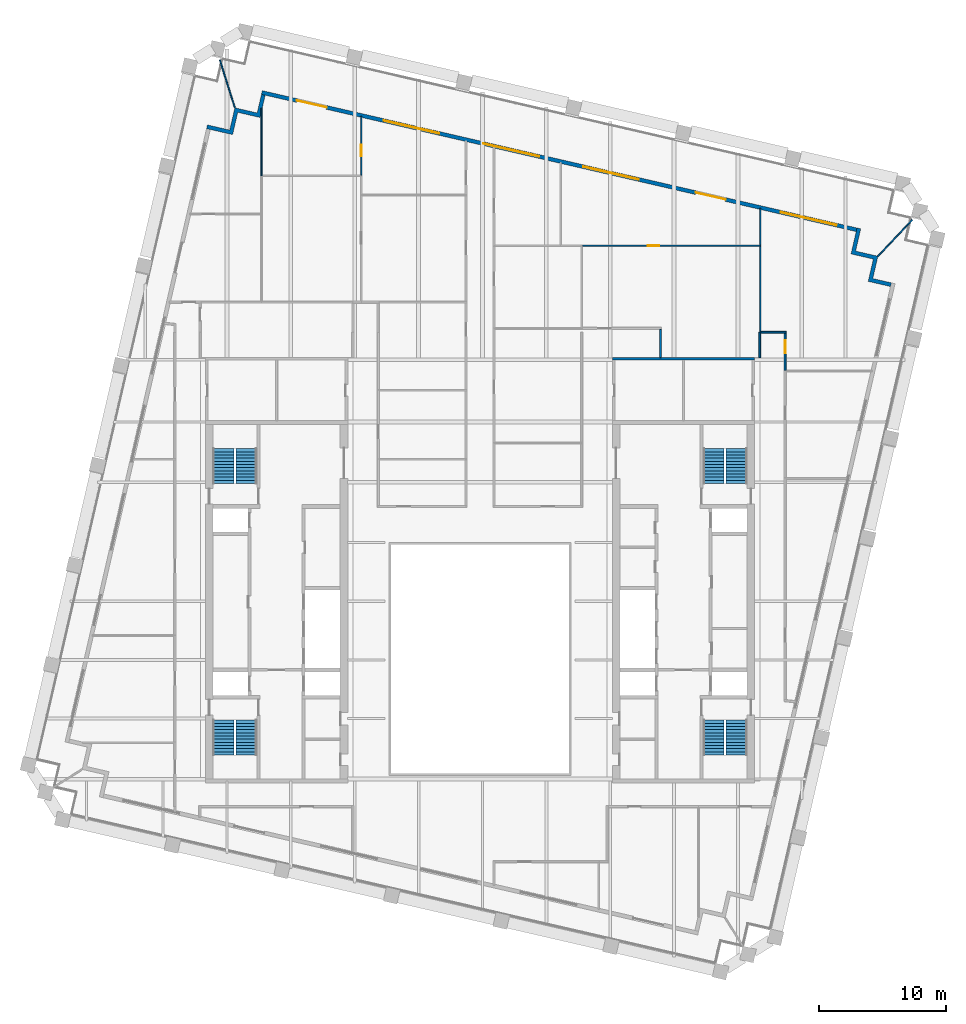
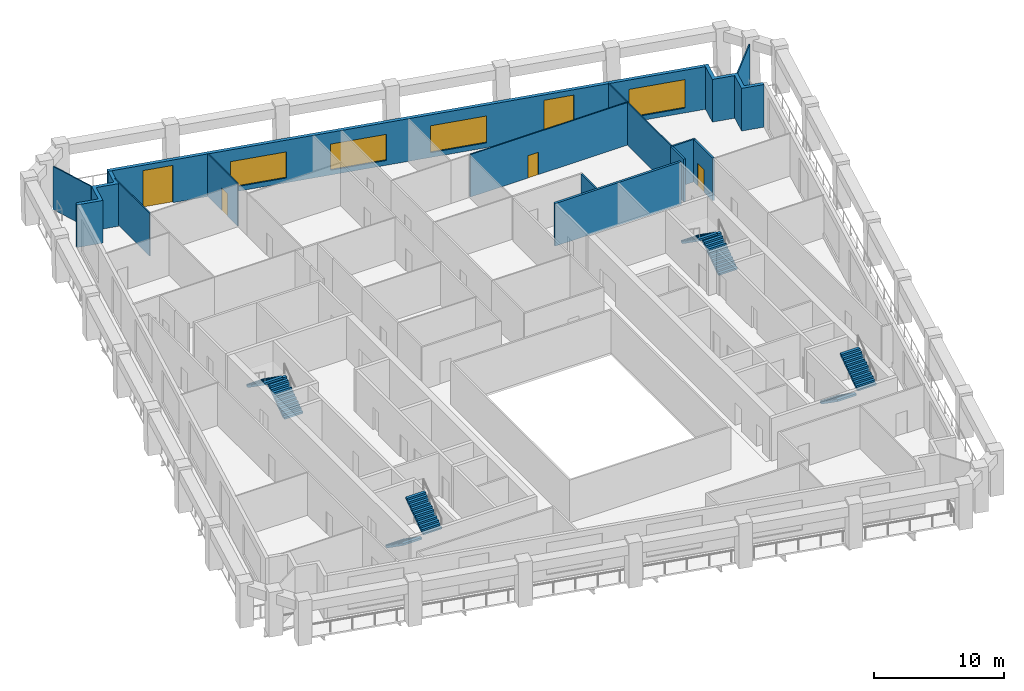
# One storey, part 9 of 10: 15 walls, 8 stair flights, 5 doors, 4 windows, 9 openings, 4 elements without a shape of their own.
"""IFC4 building model written with IfcOpenShell, lengths in metres."""

from ifc_helpers import new_model, si_unit, direction, frame, frame_2d, origin, place, context, subcontext, project, spatial, polyline, rectangle, outline, extrude, material, layer, layer_set, type_object, element, fill, aggregate, save


model = new_model("IFC4")

# Units and contexts
model_context = context("Model", 3, precision=1e-05, world=origin(), true_north=direction((0.0, 1.0)))
body_context = subcontext(model_context, "Body", "Model", "MODEL_VIEW")
ifc_project = project(units=[si_unit("LENGTHUNIT", "METRE"), si_unit("AREAUNIT", "SQUARE_METRE"), si_unit("VOLUMEUNIT", "CUBIC_METRE"), si_unit("PLANEANGLEUNIT", "RADIAN"), si_unit("MASSUNIT", "GRAM", prefix="KILO")], contexts=[model_context])

# Site, building, storey
site_placement = place(None, origin())
site = spatial("IfcSite", under=ifc_project, at=site_placement, CompositionType="ELEMENT")
building_placement = place(site_placement, origin())
building = spatial("IfcBuilding", under=site, at=building_placement, Name="Ogive Exchange Tower", CompositionType="ELEMENT")
storey_placement = place(building_placement, frame((0.0, 0.0, 255.60009765625)))
storey = spatial("IfcBuildingStorey", under=building, at=storey_placement, Name="L55", CompositionType="ELEMENT", Elevation=255.60009765625)

# Walls
ifc_material_1 = material(Name="Fire partition EI 60 150")
ifc_layer_1 = layer(ifc_material_1, 0.14990234375)
ifc_layer_set_1 = layer_set([ifc_layer_1], Name="Fire partition EI 60 150")
wall_type_1 = type_object("IfcWallType", Name="Fire partition EI 60 150", PredefinedType="PARTITIONING", material=ifc_layer_set_1)
wall_1_placement = place(storey_placement, frame((14.18994140625, 32.925048828125, 0.0), z_axis=(0.0, 0.0, 1.0), x_axis=(0.0, -1.0, 0.0)))
element("IfcWall", 1, at=wall_1_placement, inside=storey, type_object=wall_type_1, Name="L55-PWL-064", PredefinedType="PARTITIONING", context=body_context, shape_type="SweptSolid", body=[
    extrude(rectangle(XDim=2.22509765625, YDim=0.14990234375, at=frame_2d((1.112548828125, 0.0))), origin(), (0.0, 0.0, 1.0), 4.0),
])
wall_2_placement = place(storey_placement, frame((22.0, 30.699951171875, 0.0), z_axis=(0.0, 0.0, 1.0), x_axis=(0.0, 1.0, 0.0)))
element("IfcWall", 2, at=wall_2_placement, inside=storey, type_object=wall_type_1, Name="L55-PWL-067", PredefinedType="PARTITIONING", context=body_context, shape_type="SweptSolid", body=[
    extrude(rectangle(XDim=2.0, YDim=0.14990234375, at=frame_2d((1.0, 0.0))), origin(), (0.0, 0.0, 1.0), 4.0),
])
wall_3_placement = place(storey_placement, frame((21.97998046875, 32.699951171875, 0.0), z_axis=(0.0, 0.0, 1.0), x_axis=(1.0, 0.0, 0.0)))
element("IfcWall", 3, at=wall_3_placement, inside=storey, type_object=wall_type_1, Name="L55-PWL-068", PredefinedType="PARTITIONING", context=body_context, shape_type="SweptSolid", body=[
    extrude(rectangle(XDim=2.094970703125, YDim=0.14990234375, at=frame_2d((1.04736328125, 0.0))), origin(), (0.0, 0.0, 1.0), 4.0),
])

# Wall, opening, door
wall_4_placement = place(storey_placement, frame((24.0, 32.625, 0.0), z_axis=(0.0, 0.0, 1.0), x_axis=(0.0, -1.0, 0.0)))
wall_4 = element("IfcWall", 4, at=wall_4_placement, inside=storey, type_object=wall_type_1, Name="L55-PWL-078", PredefinedType="PARTITIONING", context=body_context, shape_type="SweptSolid", body=[
    extrude(rectangle(XDim=2.9150390625, YDim=0.14990234375, at=frame_2d((1.45751953125, 0.0))), origin(), (0.0, 0.0, 1.0), 4.0),
])
opening_1_placement = place(wall_4_placement, frame((0.56494140625, 0.0, 0.0)))
opening_1 = element("IfcOpeningElement", 5, at=opening_1_placement, cuts=wall_4, Name="Opening L55-I24", PredefinedType="OPENING", context=body_context, shape_type="SweptSolid", body=[
    extrude(rectangle(XDim=1.0, YDim=2.10009765625, at=frame_2d((0.5, 1.050048828125))), frame((0.0, 0.0849609375, 0.0), z_axis=(0.0, -1.0, 0.0), x_axis=(1.0, 0.0, 0.0)), (0.0, 0.0, 1.0), 0.169921875),
])
ifc_material_2 = material(Name="Fire door FD 30S 1000 x 2100")
door_type_1 = type_object("IfcDoorType", Name="Fire door FD 30S 1000 x 2100", OperationType="NOTDEFINED", PredefinedType="DOOR", material=ifc_material_2)
door_1_placement = place(opening_1_placement, origin())
door_1 = element("IfcDoor", 6, at=door_1_placement, inside=storey, type_object=door_type_1, Name="L55-IDR-024", ObjectType="DT3", OperationType="SINGLE_SWING_LEFT", OverallHeight=2.10009765625, OverallWidth=1.0, PredefinedType="DOOR", context=body_context, shape_type="SweptSolid", body=[
    extrude(rectangle(XDim=1.0, YDim=2.10009765625, at=frame_2d((0.5, 1.050048828125))), frame((0.0, 0.02490234375, 0.0), z_axis=(0.0, -1.0, 0.0), x_axis=(1.0, 0.0, 0.0)), (0.0, 0.0, 1.0), 0.050048828125),
])
fill(opening_1, door_1)

# Wall, openings, doors, windows
ifc_material_3 = material(Name="Precast concrete C40/50", Category="concrete")
ifc_layer_2 = layer(ifc_material_3, 0.300048828125)
ifc_layer_set_2 = layer_set([ifc_layer_2], Name="Limestone-faced wall 300")
wall_type_2 = type_object("IfcWallType", Name="Limestone-faced wall 300", PredefinedType="STANDARD", material=ifc_layer_set_2)
wall_5_placement = place(storey_placement, frame((29.6162109375, 40.75830078125, 0.0), z_axis=(0.0, 0.0, 1.0), x_axis=(-0.974370532314, 0.224949029246, 0.0)))
wall_5 = element("IfcWall", 7, at=wall_5_placement, inside=storey, type_object=wall_type_2, Name="External wall N3", PredefinedType="STANDARD", context=body_context, shape_type="SweptSolid", body=[
    extrude(rectangle(XDim=48.000244140625, YDim=0.300048828125, at=frame_2d((24.0, 0.0))), origin(), (0.0, 0.0, 1.0), 4.0),
])
opening_2_placement = place(wall_5_placement, frame((1.625, 0.0, 0.449951171875)))
opening_2 = element("IfcOpeningElement", 8, at=opening_2_placement, cuts=wall_5, Name="Opening W1J", PredefinedType="OPENING", context=body_context, shape_type="SweptSolid", body=[
    extrude(rectangle(XDim=4.5, YDim=2.675048828125, at=frame_2d((2.25, 1.33740234375))), frame((0.0, 0.159912109375, 0.0), z_axis=(0.0, -1.0, 0.0), x_axis=(1.0, 0.0, 0.0)), (0.0, 0.0, 1.0), 0.320068359375),
])
opening_3_placement = place(wall_5_placement, frame((10.574951171875, 0.0, 0.0)))
opening_3 = element("IfcOpeningElement", 9, at=opening_3_placement, cuts=wall_5, Name="Opening D1", PredefinedType="OPENING", context=body_context, shape_type="SweptSolid", body=[
    extrude(rectangle(XDim=2.39990234375, YDim=3.5, at=frame_2d((1.199951171875, 1.75))), frame((0.0, 0.159912109375, 0.0), z_axis=(0.0, -1.0, 0.0), x_axis=(1.0, 0.0, 0.0)), (0.0, 0.0, 1.0), 0.320068359375),
])
opening_4_placement = place(wall_5_placement, frame((17.574951171875, 0.0, 0.449951171875)))
opening_4 = element("IfcOpeningElement", 10, at=opening_4_placement, cuts=wall_5, Name="Opening W1N", PredefinedType="OPENING", context=body_context, shape_type="SweptSolid", body=[
    extrude(rectangle(XDim=4.5, YDim=2.52490234375, at=frame_2d((2.25, 1.262451171875))), frame((0.0, 0.159912109375, 0.0), z_axis=(0.0, -1.0, 0.0), x_axis=(1.0, 0.0, 0.0)), (0.0, 0.0, 1.0), 0.320068359375),
])
opening_5_placement = place(wall_5_placement, frame((25.625, 0.0, 0.449951171875)))
opening_5 = element("IfcOpeningElement", 11, at=opening_5_placement, cuts=wall_5, Name="Opening W1Q", PredefinedType="OPENING", context=body_context, shape_type="SweptSolid", body=[
    extrude(rectangle(XDim=4.5, YDim=2.449951171875, at=frame_2d((2.25, 1.22509765625))), frame((0.0, 0.159912109375, 0.0), z_axis=(0.0, -1.0, 0.0), x_axis=(1.0, 0.0, 0.0)), (0.0, 0.0, 1.0), 0.320068359375),
])
opening_6_placement = place(wall_5_placement, frame((33.675048828125, 0.0, 0.449951171875)))
opening_6 = element("IfcOpeningElement", 12, at=opening_6_placement, cuts=wall_5, Name="Opening W1Q", PredefinedType="OPENING", context=body_context, shape_type="SweptSolid", body=[
    extrude(rectangle(XDim=4.5, YDim=2.449951171875, at=frame_2d((2.25, 1.22509765625))), frame((0.0, 0.159912109375, 0.0), z_axis=(0.0, -1.0, 0.0), x_axis=(1.0, 0.0, 0.0)), (0.0, 0.0, 1.0), 0.320068359375),
])
opening_7_placement = place(wall_5_placement, frame((42.77490234375, 0.0, 0.0)))
opening_7 = element("IfcOpeningElement", 13, at=opening_7_placement, cuts=wall_5, Name="Opening D1", PredefinedType="OPENING", context=body_context, shape_type="SweptSolid", body=[
    extrude(rectangle(XDim=2.39990234375, YDim=3.5, at=frame_2d((1.199951171875, 1.75))), frame((0.0, 0.159912109375, 0.0), z_axis=(0.0, -1.0, 0.0), x_axis=(1.0, 0.0, 0.0)), (0.0, 0.0, 1.0), 0.320068359375),
])
ifc_material_4 = material(Name="Clear glass in bronze frame", Category="glass")
door_type_2 = type_object("IfcDoorType", Name="Sliding loggia door 2400 x 3500", OperationType="DOUBLE_DOOR_SLIDING", PredefinedType="DOOR", material=ifc_material_4)
door_2_placement = place(opening_3_placement, origin())
door_2 = element("IfcDoor", 14, at=door_2_placement, inside=storey, type_object=door_type_2, Name="Loggia door N01", OperationType="DOUBLE_DOOR_SLIDING", OverallHeight=3.5, OverallWidth=2.39990234375, PredefinedType="DOOR", context=body_context, shape_type="SweptSolid", body=[
    extrude(rectangle(XDim=2.39990234375, YDim=3.5, at=frame_2d((1.199951171875, 1.75))), frame((0.0, 0.02490234375, 0.0), z_axis=(0.0, -1.0, 0.0), x_axis=(1.0, 0.0, 0.0)), (0.0, 0.0, 1.0), 0.050048828125),
])
fill(opening_3, door_2)
door_3_placement = place(opening_7_placement, origin())
door_3 = element("IfcDoor", 15, at=door_3_placement, inside=storey, type_object=door_type_2, Name="Loggia door N05", OperationType="DOUBLE_DOOR_SLIDING", OverallHeight=3.5, OverallWidth=2.39990234375, PredefinedType="DOOR", context=body_context, shape_type="SweptSolid", body=[
    extrude(rectangle(XDim=2.39990234375, YDim=3.5, at=frame_2d((1.199951171875, 1.75))), frame((0.0, 0.02490234375, 0.0), z_axis=(0.0, -1.0, 0.0), x_axis=(1.0, 0.0, 0.0)), (0.0, 0.0, 1.0), 0.050048828125),
])
fill(opening_7, door_3)
window_type_1 = type_object("IfcWindowType", Name="Twin lancet window 4500 x 2450", PartitioningType="DOUBLE_PANEL_VERTICAL", PredefinedType="WINDOW", material=ifc_material_4)
window_1_placement = place(opening_5_placement, origin())
window_1 = element("IfcWindow", 16, at=window_1_placement, inside=storey, type_object=window_type_1, Name="Window N03", OverallHeight=2.449951171875, OverallWidth=4.5, PartitioningType="DOUBLE_PANEL_VERTICAL", PredefinedType="WINDOW", context=body_context, shape_type="SweptSolid", body=[
    extrude(rectangle(XDim=4.5, YDim=2.449951171875, at=frame_2d((2.25, 1.22509765625))), frame((0.0, 0.030029296875, 0.0), z_axis=(0.0, -1.0, 0.0), x_axis=(1.0, 0.0, 0.0)), (0.0, 0.0, 1.0), 0.06005859375),
])
fill(opening_5, window_1)
window_2_placement = place(opening_6_placement, origin())
window_2 = element("IfcWindow", 17, at=window_2_placement, inside=storey, type_object=window_type_1, Name="Window N04", OverallHeight=2.449951171875, OverallWidth=4.5, PartitioningType="DOUBLE_PANEL_VERTICAL", PredefinedType="WINDOW", context=body_context, shape_type="SweptSolid", body=[
    extrude(rectangle(XDim=4.5, YDim=2.449951171875, at=frame_2d((2.25, 1.22509765625))), frame((0.0, 0.030029296875, 0.0), z_axis=(0.0, -1.0, 0.0), x_axis=(1.0, 0.0, 0.0)), (0.0, 0.0, 1.0), 0.06005859375),
])
fill(opening_6, window_2)
window_type_2 = type_object("IfcWindowType", Name="Twin lancet window 4500 x 2525", PartitioningType="DOUBLE_PANEL_VERTICAL", PredefinedType="WINDOW", material=ifc_material_4)
window_3_placement = place(opening_4_placement, origin())
window_3 = element("IfcWindow", 18, at=window_3_placement, inside=storey, type_object=window_type_2, Name="Window N02", OverallHeight=2.52490234375, OverallWidth=4.5, PartitioningType="DOUBLE_PANEL_VERTICAL", PredefinedType="WINDOW", context=body_context, shape_type="SweptSolid", body=[
    extrude(rectangle(XDim=4.5, YDim=2.52490234375, at=frame_2d((2.25, 1.262451171875))), frame((0.0, 0.030029296875, 0.0), z_axis=(0.0, -1.0, 0.0), x_axis=(1.0, 0.0, 0.0)), (0.0, 0.0, 1.0), 0.06005859375),
])
fill(opening_4, window_3)
window_type_3 = type_object("IfcWindowType", Name="Twin lancet window 4500 x 2675", PartitioningType="DOUBLE_PANEL_VERTICAL", PredefinedType="WINDOW", material=ifc_material_4)
window_4_placement = place(opening_2_placement, origin())
window_4 = element("IfcWindow", 19, at=window_4_placement, inside=storey, type_object=window_type_3, Name="Window N00", OverallHeight=2.675048828125, OverallWidth=4.5, PartitioningType="DOUBLE_PANEL_VERTICAL", PredefinedType="WINDOW", context=body_context, shape_type="SweptSolid", body=[
    extrude(rectangle(XDim=4.5, YDim=2.675048828125, at=frame_2d((2.25, 1.33740234375))), frame((0.0, 0.030029296875, 0.0), z_axis=(0.0, -1.0, 0.0), x_axis=(1.0, 0.0, 0.0)), (0.0, 0.0, 1.0), 0.06005859375),
])
fill(opening_2, window_4)

# Walls
wall_6_placement = place(storey_placement, origin())
element("IfcWall", 20, at=wall_6_placement, inside=storey, type_object=wall_type_2, Name="External corner wall C2", PredefinedType="STANDARD", context=body_context, shape_type="SweptSolid", body=[
    extrude(outline(polyline([(30.931396484375, 38.453369140625), (29.177490234375, 38.8583984375), (29.64990234375, 40.904541015625), (29.942138671875, 40.8369140625), (29.537109375, 39.0830078125), (31.291015625, 38.67822265625), (30.88623046875, 36.92431640625), (32.34765625, 36.5869140625), (32.2802734375, 36.294677734375), (30.5263671875, 36.699462890625), (30.931396484375, 38.453369140625)])), origin(), (0.0, 0.0, 1.0), 4.0),
])
wall_7_placement = place(storey_placement, origin())
element("IfcWall", 21, at=wall_7_placement, inside=storey, type_object=wall_type_2, Name="External corner wall C3", PredefinedType="STANDARD", context=body_context, shape_type="SweptSolid", body=[
    extrude(outline(polyline([(-21.5048828125, 48.7119140625), (-21.4375, 49.004150390625), (-19.68359375, 48.599365234375), (-19.27880859375, 50.353271484375), (-17.52490234375, 49.9482421875), (-17.1875, 51.409912109375), (-16.89501953125, 51.34228515625), (-17.300048828125, 49.58837890625), (-19.053955078125, 49.993408203125), (-19.458740234375, 48.239501953125), (-21.5048828125, 48.7119140625)])), origin(), (0.0, 0.0, 1.0), 4.0),
])
ifc_material_5 = material(Name="Laminated safety glass in steel frame", Category="steel")
ifc_layer_3 = layer(ifc_material_5, 0.10009765625)
ifc_layer_set_3 = layer_set([ifc_layer_3], Name="Loggia end screen 100")
wall_type_3 = type_object("IfcWallType", Name="Loggia end screen 100", PredefinedType="STANDARD", material=ifc_layer_set_3)
for number, where, z_axis, x_axis, name in (
    (22, (31.291015625, 38.67822265625, -0.050048828125), (0.0, 0.0, 1.0), (0.687090393252, 0.726571945165, 0.0), "Loggia end screen C2"),
    (23, (-19.27880859375, 50.353271484375, -0.050048828125), (0.0, 0.0, 1.0), (-0.299021910401, 0.954246245526, 0.0), "Loggia end screen C3"),
):
    element("IfcWall", number, at=place(storey_placement, frame(where, z_axis=z_axis, x_axis=x_axis)), inside=storey, type_object=wall_type_3, Name=name, PredefinedType="STANDARD", context=body_context, shape_type="SweptSolid", body=[
        extrude(rectangle(XDim=3.945068359375, YDim=0.10009765625, at=frame_2d((1.97265625, 0.0))), origin(), (0.0, 0.0, 1.0), 4.050048828125),
    ])
ifc_material_6 = material(Name="Partition 100 gypsum")
ifc_layer_4 = layer(ifc_material_6, 0.10009765625)
ifc_layer_set_4 = layer_set([ifc_layer_4], Name="Partition 100 gypsum")
wall_type_4 = type_object("IfcWallType", Name="Partition 100 gypsum", PredefinedType="PARTITIONING", material=ifc_layer_set_4)
wall_8_placement = place(storey_placement, frame((-17.18994140625, 44.949951171875, 0.0), z_axis=(0.0, 0.0, 1.0), x_axis=(0.0, 1.0, 0.0)))
element("IfcWall", 24, at=wall_8_placement, inside=storey, type_object=wall_type_4, Name="L55-PWL-020", PredefinedType="PARTITIONING", context=body_context, shape_type="SweptSolid", body=[
    extrude(rectangle(XDim=5.360107421875, YDim=0.10009765625, at=frame_2d((2.68017578125, 0.0))), origin(), (0.0, 0.0, 1.0), 4.0),
])

# Wall, opening, door
wall_9_placement = place(storey_placement, frame((-9.340087890625, 45.050048828125, 0.0), z_axis=(0.0, 0.0, 1.0), x_axis=(0.0, 1.0, 0.0)))
wall_9 = element("IfcWall", 25, at=wall_9_placement, inside=storey, type_object=wall_type_4, Name="L55-PWL-031", PredefinedType="PARTITIONING", context=body_context, shape_type="SweptSolid", body=[
    extrude(rectangle(XDim=4.630859375, YDim=0.10009765625, at=frame_2d((2.3154296875, 0.0))), origin(), (0.0, 0.0, 1.0), 4.0),
])
opening_8_placement = place(wall_9_placement, frame((1.5, 0.0, 0.0)))
opening_8 = element("IfcOpeningElement", 26, at=opening_8_placement, cuts=wall_9, Name="Opening L55-I10", PredefinedType="OPENING", context=body_context, shape_type="SweptSolid", body=[
    extrude(rectangle(XDim=0.89990234375, YDim=2.10009765625, at=frame_2d((0.449951171875, 1.050048828125))), frame((0.0, 0.06005859375, 0.0), z_axis=(0.0, -1.0, 0.0), x_axis=(1.0, 0.0, 0.0)), (0.0, 0.0, 1.0), 0.1201171875),
])
ifc_material_7 = material(Name="Door 900 x 2100")
door_type_3 = type_object("IfcDoorType", Name="Door 900 x 2100", OperationType="NOTDEFINED", PredefinedType="DOOR", material=ifc_material_7)
door_4_placement = place(opening_8_placement, frame((0.89990234375, 0.0, 0.0), z_axis=(0.0, 0.0, 1.0), x_axis=(-1.0, 0.0, 0.0)))
door_4 = element("IfcDoor", 27, at=door_4_placement, inside=storey, type_object=door_type_3, Name="L55-IDR-010", ObjectType="DT1", OperationType="SINGLE_SWING_RIGHT", OverallHeight=2.10009765625, OverallWidth=0.89990234375, PredefinedType="DOOR", context=body_context, shape_type="SweptSolid", body=[
    extrude(rectangle(XDim=0.89990234375, YDim=2.10009765625, at=frame_2d((0.449951171875, 1.050048828125))), frame((0.0, 0.02490234375, 0.0), z_axis=(0.0, -1.0, 0.0), x_axis=(1.0, 0.0, 0.0)), (0.0, 0.0, 1.0), 0.050048828125),
])
fill(opening_8, door_4)

wall_10_placement = place(storey_placement, frame((22.080078125, 39.5, 0.0), z_axis=(0.0, 0.0, 1.0), x_axis=(-1.0, 0.0, 0.0)))
wall_10 = element("IfcWall", 28, at=wall_10_placement, inside=storey, type_object=wall_type_4, Name="L55-PWL-069", PredefinedType="PARTITIONING", context=body_context, shape_type="SweptSolid", body=[
    extrude(rectangle(XDim=14.030029296875, YDim=0.10009765625, at=frame_2d((7.01513671875, 0.0))), origin(), (0.0, 0.0, 1.0), 4.0),
])
opening_9_placement = place(wall_10_placement, frame((8.0, 0.0, 0.0)))
opening_9 = element("IfcOpeningElement", 29, at=opening_9_placement, cuts=wall_10, Name="Opening L55-I16", PredefinedType="OPENING", context=body_context, shape_type="SweptSolid", body=[
    extrude(rectangle(XDim=0.89990234375, YDim=2.10009765625, at=frame_2d((0.449951171875, 1.050048828125))), frame((0.0, 0.06005859375, 0.0), z_axis=(0.0, -1.0, 0.0), x_axis=(1.0, 0.0, 0.0)), (0.0, 0.0, 1.0), 0.1201171875),
])
door_5_placement = place(opening_9_placement, frame((0.89990234375, 0.0, 0.0), z_axis=(0.0, 0.0, 1.0), x_axis=(-1.0, 0.0, 0.0)))
door_5 = element("IfcDoor", 30, at=door_5_placement, inside=storey, type_object=door_type_3, Name="L55-IDR-016", ObjectType="DT1", OperationType="SINGLE_SWING_LEFT", OverallHeight=2.10009765625, OverallWidth=0.89990234375, PredefinedType="DOOR", context=body_context, shape_type="SweptSolid", body=[
    extrude(rectangle(XDim=0.89990234375, YDim=2.10009765625, at=frame_2d((0.449951171875, 1.050048828125))), frame((0.0, 0.02490234375, 0.0), z_axis=(0.0, -1.0, 0.0), x_axis=(1.0, 0.0, 0.0)), (0.0, 0.0, 1.0), 0.050048828125),
])
fill(opening_9, door_5)

# Walls
wall_11_placement = place(storey_placement, frame((22.030029296875, 39.449951171875, 0.0), z_axis=(0.0, 0.0, 1.0), x_axis=(0.0, -1.0, 0.0)))
element("IfcWall", 31, at=wall_11_placement, inside=storey, type_object=wall_type_4, Name="L55-PWL-070", PredefinedType="PARTITIONING", context=body_context, shape_type="SweptSolid", body=[
    extrude(rectangle(XDim=6.675048828125, YDim=0.10009765625, at=frame_2d((3.33740234375, 0.0))), origin(), (0.0, 0.0, 1.0), 4.0),
])
wall_12_placement = place(storey_placement, frame((22.030029296875, 42.43798828125, 0.0), z_axis=(0.0, 0.0, 1.0), x_axis=(0.0, -1.0, 0.0)))
element("IfcWall", 32, at=wall_12_placement, inside=storey, type_object=wall_type_4, Name="L55-PWL-071", PredefinedType="PARTITIONING", context=body_context, shape_type="SweptSolid", body=[
    extrude(rectangle(XDim=2.887939453125, YDim=0.10009765625, at=frame_2d((1.44384765625, 0.0))), origin(), (0.0, 0.0, 1.0), 4.0),
])
ifc_material_8 = material(Name="Concrete C70/85", Category="concrete")
ifc_layer_5 = layer(ifc_material_8, 0.199951171875)
ifc_layer_set_5 = layer_set([ifc_layer_5], Name="RC core wall 200 C70/85")
wall_type_5 = type_object("IfcWallType", Name="RC core wall 200 C70/85", PredefinedType="SHEAR", material=ifc_layer_set_5)
wall_13_placement = place(storey_placement, frame((10.39990234375, 30.60009765625, 0.0), z_axis=(0.0, 0.0, 1.0), x_axis=(1.0, 0.0, 0.0)))
element("IfcWall", 33, at=wall_13_placement, inside=storey, type_object=wall_type_5, Name="E annex N end wall", PredefinedType="SHEAR", context=body_context, shape_type="SweptSolid", body=[
    extrude(rectangle(XDim=11.2001953125, YDim=0.199951171875, at=frame_2d((5.60009765625, 0.0))), origin(), (0.0, 0.0, 1.0), 4.0),
])

# Stair, stair flights
ifc_material_9 = material(Name="Concrete C40/50", Category="concrete")
stair_type = type_object("IfcStairType", Name="Exit stair 1650 wide", PredefinedType="HALF_TURN_STAIR", material=ifc_material_9)
stair_1_placement = place(storey_placement, origin())
stair_1 = element("IfcStair", 34, at=stair_1_placement, inside=storey, type_object=stair_type, Name="L55 exit stair ST1", PredefinedType="HALF_TURN_STAIR")
stair_flight_type = type_object("IfcStairFlightType", Name="Stair flight 1650 wide", PredefinedType="STRAIGHT", material=ifc_material_9)
stair_flight_1_placement = place(storey_placement, frame((-20.175048828125, 2.199951171875, 0.0), z_axis=(0.0, 0.0, 1.0), x_axis=(0.0, -1.0, 0.0)))
stair_flight_1 = element("IfcStairFlight", 35, at=stair_flight_1_placement, type_object=stair_flight_type, Name="ST1 flight 1", NumberOfRisers=12, NumberOfTreads=11, PredefinedType="STRAIGHT", RiserHeight=0.175, TreadLength=0.25, context=body_context, shape_type="SweptSolid", body=[
    extrude(outline(polyline([(0.0, 0.0), (0.0, 0.175048828125), (0.25, 0.175048828125), (0.25, 0.35009765625), (0.5, 0.35009765625), (0.5, 0.52490234375), (0.75, 0.52490234375), (0.75, 0.699951171875), (1.0, 0.699951171875), (1.0, 0.875), (1.25, 0.875), (1.25, 1.050048828125), (1.5, 1.050048828125), (1.5, 1.22509765625), (1.75, 1.22509765625), (1.75, 1.39990234375), (2.0, 1.39990234375), (2.0, 1.574951171875), (2.25, 1.574951171875), (2.25, 1.75), (2.5, 1.75), (2.5, 1.925048828125), (2.75, 1.925048828125), (2.75, 2.10009765625), (2.75, 1.741943359375), (0.261474609375, 0.0), (0.0, 0.0)])), frame((0.0, 0.824951171875, 0.0), z_axis=(0.0, -1.0, 0.0), x_axis=(1.0, 0.0, 0.0)), (0.0, 0.0, 1.0), 1.64990234375),
])
stair_flight_2_placement = place(storey_placement, frame((-18.375, -0.550048828125, 2.099853515625), z_axis=(0.0, 0.0, 1.0), x_axis=(0.0, 1.0, 0.0)))
stair_flight_2 = element("IfcStairFlight", 36, at=stair_flight_2_placement, type_object=stair_flight_type, Name="ST1 flight 2", NumberOfRisers=12, NumberOfTreads=11, PredefinedType="STRAIGHT", RiserHeight=0.175, TreadLength=0.25, context=body_context, shape_type="SweptSolid", body=[
    extrude(outline(polyline([(0.0, 0.0), (0.0, 0.175048828125), (0.25, 0.175048828125), (0.25, 0.35009765625), (0.5, 0.35009765625), (0.5, 0.52490234375), (0.75, 0.52490234375), (0.75, 0.699951171875), (1.0, 0.699951171875), (1.0, 0.875), (1.25, 0.875), (1.25, 1.050048828125), (1.5, 1.050048828125), (1.5, 1.22509765625), (1.75, 1.22509765625), (1.75, 1.39990234375), (2.0, 1.39990234375), (2.0, 1.574951171875), (2.25, 1.574951171875), (2.25, 1.75), (2.5, 1.75), (2.5, 1.925048828125), (2.75, 1.925048828125), (2.75, 2.10009765625), (2.75, 1.741943359375), (0.261474609375, 0.0), (0.0, 0.0)])), frame((0.0, 0.824951171875, 0.0), z_axis=(0.0, -1.0, 0.0), x_axis=(1.0, 0.0, 0.0)), (0.0, 0.0, 1.0), 1.64990234375),
])
aggregate(stair_1, [stair_flight_1, stair_flight_2])

stair_2_placement = place(storey_placement, origin())
stair_2 = element("IfcStair", 37, at=stair_2_placement, inside=storey, type_object=stair_type, Name="L55 exit stair ST2", PredefinedType="HALF_TURN_STAIR")
stair_flight_3_placement = place(storey_placement, frame((-18.375, 20.800048828125, 0.0), z_axis=(0.0, 0.0, 1.0), x_axis=(0.0, 1.0, 0.0)))
stair_flight_3 = element("IfcStairFlight", 38, at=stair_flight_3_placement, type_object=stair_flight_type, Name="ST2 flight 1", NumberOfRisers=12, NumberOfTreads=11, PredefinedType="STRAIGHT", RiserHeight=0.175, TreadLength=0.25, context=body_context, shape_type="SweptSolid", body=[
    extrude(outline(polyline([(0.0, 0.0), (0.0, 0.175048828125), (0.25, 0.175048828125), (0.25, 0.35009765625), (0.5, 0.35009765625), (0.5, 0.52490234375), (0.75, 0.52490234375), (0.75, 0.699951171875), (1.0, 0.699951171875), (1.0, 0.875), (1.25, 0.875), (1.25, 1.050048828125), (1.5, 1.050048828125), (1.5, 1.22509765625), (1.75, 1.22509765625), (1.75, 1.39990234375), (2.0, 1.39990234375), (2.0, 1.574951171875), (2.25, 1.574951171875), (2.25, 1.75), (2.5, 1.75), (2.5, 1.925048828125), (2.75, 1.925048828125), (2.75, 2.10009765625), (2.75, 1.741943359375), (0.261474609375, 0.0), (0.0, 0.0)])), frame((0.0, 0.824951171875, 0.0), z_axis=(0.0, -1.0, 0.0), x_axis=(1.0, 0.0, 0.0)), (0.0, 0.0, 1.0), 1.64990234375),
])
stair_flight_4_placement = place(storey_placement, frame((-20.175048828125, 23.550048828125, 2.099853515625), z_axis=(0.0, 0.0, 1.0), x_axis=(0.0, -1.0, 0.0)))
stair_flight_4 = element("IfcStairFlight", 39, at=stair_flight_4_placement, type_object=stair_flight_type, Name="ST2 flight 2", NumberOfRisers=12, NumberOfTreads=11, PredefinedType="STRAIGHT", RiserHeight=0.175, TreadLength=0.25, context=body_context, shape_type="SweptSolid", body=[
    extrude(outline(polyline([(0.0, 0.0), (0.0, 0.175048828125), (0.25, 0.175048828125), (0.25, 0.35009765625), (0.5, 0.35009765625), (0.5, 0.52490234375), (0.75, 0.52490234375), (0.75, 0.699951171875), (1.0, 0.699951171875), (1.0, 0.875), (1.25, 0.875), (1.25, 1.050048828125), (1.5, 1.050048828125), (1.5, 1.22509765625), (1.75, 1.22509765625), (1.75, 1.39990234375), (2.0, 1.39990234375), (2.0, 1.574951171875), (2.25, 1.574951171875), (2.25, 1.75), (2.5, 1.75), (2.5, 1.925048828125), (2.75, 1.925048828125), (2.75, 2.10009765625), (2.75, 1.741943359375), (0.261474609375, 0.0), (0.0, 0.0)])), frame((0.0, 0.824951171875, 0.0), z_axis=(0.0, -1.0, 0.0), x_axis=(1.0, 0.0, 0.0)), (0.0, 0.0, 1.0), 1.64990234375),
])
aggregate(stair_2, [stair_flight_3, stair_flight_4])

stair_3_placement = place(storey_placement, origin())
stair_3 = element("IfcStair", 40, at=stair_3_placement, inside=storey, type_object=stair_type, Name="L55 exit stair ST3", PredefinedType="HALF_TURN_STAIR")
stair_flight_5_placement = place(storey_placement, frame((18.375, 2.199951171875, 0.0), z_axis=(0.0, 0.0, 1.0), x_axis=(0.0, -1.0, 0.0)))
stair_flight_5 = element("IfcStairFlight", 41, at=stair_flight_5_placement, type_object=stair_flight_type, Name="ST3 flight 1", NumberOfRisers=12, NumberOfTreads=11, PredefinedType="STRAIGHT", RiserHeight=0.175, TreadLength=0.25, context=body_context, shape_type="SweptSolid", body=[
    extrude(outline(polyline([(0.0, 0.0), (0.0, 0.175048828125), (0.25, 0.175048828125), (0.25, 0.35009765625), (0.5, 0.35009765625), (0.5, 0.52490234375), (0.75, 0.52490234375), (0.75, 0.699951171875), (1.0, 0.699951171875), (1.0, 0.875), (1.25, 0.875), (1.25, 1.050048828125), (1.5, 1.050048828125), (1.5, 1.22509765625), (1.75, 1.22509765625), (1.75, 1.39990234375), (2.0, 1.39990234375), (2.0, 1.574951171875), (2.25, 1.574951171875), (2.25, 1.75), (2.5, 1.75), (2.5, 1.925048828125), (2.75, 1.925048828125), (2.75, 2.10009765625), (2.75, 1.741943359375), (0.261474609375, 0.0), (0.0, 0.0)])), frame((0.0, 0.824951171875, 0.0), z_axis=(0.0, -1.0, 0.0), x_axis=(1.0, 0.0, 0.0)), (0.0, 0.0, 1.0), 1.64990234375),
])
stair_flight_6_placement = place(storey_placement, frame((20.175048828125, -0.550048828125, 2.099853515625), z_axis=(0.0, 0.0, 1.0), x_axis=(0.0, 1.0, 0.0)))
stair_flight_6 = element("IfcStairFlight", 42, at=stair_flight_6_placement, type_object=stair_flight_type, Name="ST3 flight 2", NumberOfRisers=12, NumberOfTreads=11, PredefinedType="STRAIGHT", RiserHeight=0.175, TreadLength=0.25, context=body_context, shape_type="SweptSolid", body=[
    extrude(outline(polyline([(0.0, 0.0), (0.0, 0.175048828125), (0.25, 0.175048828125), (0.25, 0.35009765625), (0.5, 0.35009765625), (0.5, 0.52490234375), (0.75, 0.52490234375), (0.75, 0.699951171875), (1.0, 0.699951171875), (1.0, 0.875), (1.25, 0.875), (1.25, 1.050048828125), (1.5, 1.050048828125), (1.5, 1.22509765625), (1.75, 1.22509765625), (1.75, 1.39990234375), (2.0, 1.39990234375), (2.0, 1.574951171875), (2.25, 1.574951171875), (2.25, 1.75), (2.5, 1.75), (2.5, 1.925048828125), (2.75, 1.925048828125), (2.75, 2.10009765625), (2.75, 1.741943359375), (0.261474609375, 0.0), (0.0, 0.0)])), frame((0.0, 0.824951171875, 0.0), z_axis=(0.0, -1.0, 0.0), x_axis=(1.0, 0.0, 0.0)), (0.0, 0.0, 1.0), 1.64990234375),
])
aggregate(stair_3, [stair_flight_5, stair_flight_6])

stair_4_placement = place(storey_placement, origin())
stair_4 = element("IfcStair", 43, at=stair_4_placement, inside=storey, type_object=stair_type, Name="L55 exit stair ST4", PredefinedType="HALF_TURN_STAIR")
stair_flight_7_placement = place(storey_placement, frame((20.175048828125, 20.800048828125, 0.0), z_axis=(0.0, 0.0, 1.0), x_axis=(0.0, 1.0, 0.0)))
stair_flight_7 = element("IfcStairFlight", 44, at=stair_flight_7_placement, type_object=stair_flight_type, Name="ST4 flight 1", NumberOfRisers=12, NumberOfTreads=11, PredefinedType="STRAIGHT", RiserHeight=0.175, TreadLength=0.25, context=body_context, shape_type="SweptSolid", body=[
    extrude(outline(polyline([(0.0, 0.0), (0.0, 0.175048828125), (0.25, 0.175048828125), (0.25, 0.35009765625), (0.5, 0.35009765625), (0.5, 0.52490234375), (0.75, 0.52490234375), (0.75, 0.699951171875), (1.0, 0.699951171875), (1.0, 0.875), (1.25, 0.875), (1.25, 1.050048828125), (1.5, 1.050048828125), (1.5, 1.22509765625), (1.75, 1.22509765625), (1.75, 1.39990234375), (2.0, 1.39990234375), (2.0, 1.574951171875), (2.25, 1.574951171875), (2.25, 1.75), (2.5, 1.75), (2.5, 1.925048828125), (2.75, 1.925048828125), (2.75, 2.10009765625), (2.75, 1.741943359375), (0.261474609375, 0.0), (0.0, 0.0)])), frame((0.0, 0.824951171875, 0.0), z_axis=(0.0, -1.0, 0.0), x_axis=(1.0, 0.0, 0.0)), (0.0, 0.0, 1.0), 1.64990234375),
])
stair_flight_8_placement = place(storey_placement, frame((18.375, 23.550048828125, 2.099853515625), z_axis=(0.0, 0.0, 1.0), x_axis=(0.0, -1.0, 0.0)))
stair_flight_8 = element("IfcStairFlight", 45, at=stair_flight_8_placement, type_object=stair_flight_type, Name="ST4 flight 2", NumberOfRisers=12, NumberOfTreads=11, PredefinedType="STRAIGHT", RiserHeight=0.175, TreadLength=0.25, context=body_context, shape_type="SweptSolid", body=[
    extrude(outline(polyline([(0.0, 0.0), (0.0, 0.175048828125), (0.25, 0.175048828125), (0.25, 0.35009765625), (0.5, 0.35009765625), (0.5, 0.52490234375), (0.75, 0.52490234375), (0.75, 0.699951171875), (1.0, 0.699951171875), (1.0, 0.875), (1.25, 0.875), (1.25, 1.050048828125), (1.5, 1.050048828125), (1.5, 1.22509765625), (1.75, 1.22509765625), (1.75, 1.39990234375), (2.0, 1.39990234375), (2.0, 1.574951171875), (2.25, 1.574951171875), (2.25, 1.75), (2.5, 1.75), (2.5, 1.925048828125), (2.75, 1.925048828125), (2.75, 2.10009765625), (2.75, 1.741943359375), (0.261474609375, 0.0), (0.0, 0.0)])), frame((0.0, 0.824951171875, 0.0), z_axis=(0.0, -1.0, 0.0), x_axis=(1.0, 0.0, 0.0)), (0.0, 0.0, 1.0), 1.64990234375),
])
aggregate(stair_4, [stair_flight_7, stair_flight_8])

save(model, "model.ifc")
